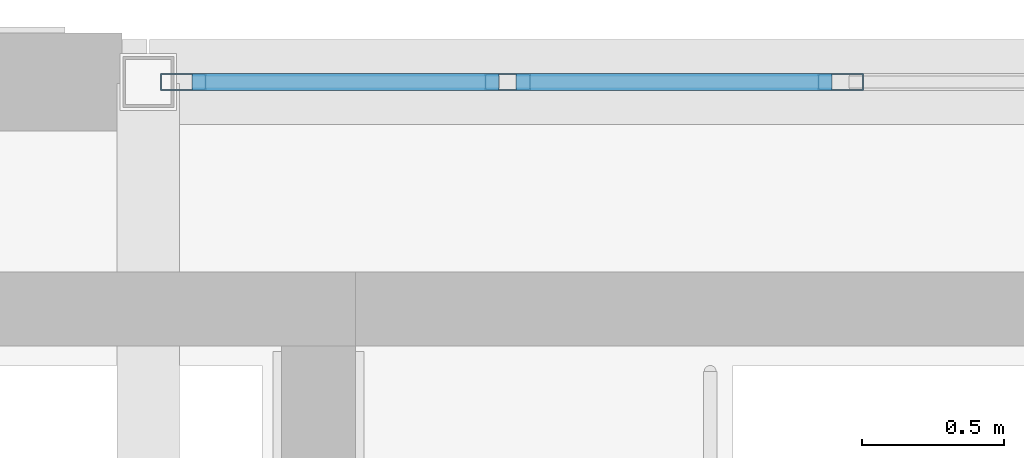
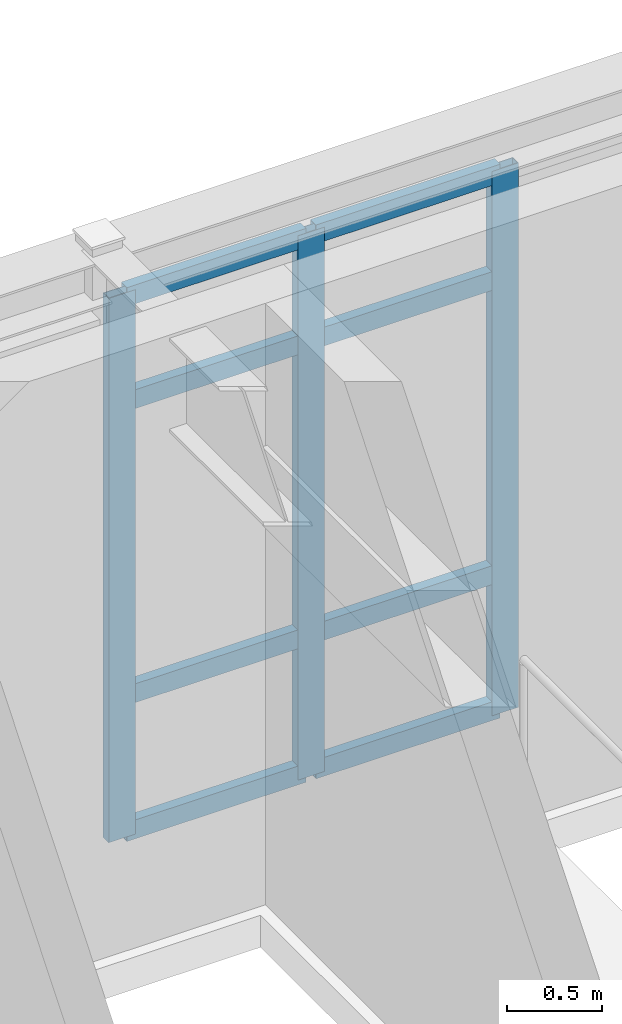
# One storey, part 10 of 26: 11 members, 1 element without a shape of its own.
"""IFC4 building model written with IfcOpenShell, lengths in metres."""

from ifc_helpers import new_model, si_unit, direction, frame, origin, origin_2d, place, context, subcontext, project, spatial, hollow_rectangle, extrude, material, layer, layer_set, material_profile, profile_set, type_object, element, aggregate, save


model = new_model("IFC4")

# Units and contexts
model_context = context("Model", 3, precision=1e-05, world=origin(), true_north=direction((0.0, 1.0)))
body_context = subcontext(model_context, "Body", "Model", "MODEL_VIEW")
ifc_project = project(units=[si_unit("LENGTHUNIT", "METRE"), si_unit("AREAUNIT", "SQUARE_METRE"), si_unit("VOLUMEUNIT", "CUBIC_METRE"), si_unit("PLANEANGLEUNIT", "RADIAN"), si_unit("MASSUNIT", "GRAM", prefix="KILO")], contexts=[model_context])

# Site, building, storey
site_placement = place(None, origin())
site = spatial("IfcSite", under=ifc_project, at=site_placement, CompositionType="ELEMENT")
building_placement = place(site_placement, origin())
building = spatial("IfcBuilding", under=site, at=building_placement, Name="Montecoro Central Library", CompositionType="ELEMENT")
storey_placement = place(building_placement, frame((0.0, 0.0, 21.419921875)))
storey = spatial("IfcBuildingStorey", under=building, at=storey_placement, Name="L05", CompositionType="ELEMENT", Elevation=21.419921875)

# Curtain wall, members
ifc_material_1 = material(Name="Bronze-anodised aluminium and low-E glazing", Category="aluminium")
ifc_layer = layer(ifc_material_1, 0.159912109375)
ifc_layer_set = layer_set([ifc_layer], Name="Bronze-anodised aluminium and low-E glazing")
curtain_wall_type = type_object("IfcCurtainWallType", Name="CWT-025", PredefinedType="NOTDEFINED", material=ifc_layer_set)
curtain_wall_placement = place(storey_placement, origin())
curtain_wall = element("IfcCurtainWall", 1, at=curtain_wall_placement, inside=storey, type_object=curtain_wall_type, Name="V2-L05-CW-N3", PredefinedType="NOTDEFINED")
ifc_material_2 = material(Name="Bronze-anodised aluminium", Category="aluminium")
ifc_material_profile_1 = material_profile(ifc_material_2, hollow_rectangle(XDim=0.06005859375, YDim=0.159912109375, WallThickness=0.00390625, at=origin_2d()), Name="CWM 160x60x4.0")
ifc_profile_set_1 = profile_set([ifc_material_profile_1], Name="Bronze-anodised aluminium")
member_type_1 = type_object("IfcMemberType", Name="CWM-BRZ-60", PredefinedType="MULLION", material=ifc_profile_set_1)
member_1_placement = place(storey_placement, frame((102.43994140625, 119.0, 0.0), z_axis=(0.0, 0.0, 1.0), x_axis=(0.0, -1.0, 0.0)))
member_1 = element("IfcMember", 2, at=member_1_placement, type_object=member_type_1, Name="CW-025 mullion 6", PredefinedType="MULLION", context=body_context, shape_type="SweptSolid", body=[
    extrude(hollow_rectangle(XDim=0.06005859375, YDim=0.159912109375, WallThickness=0.00390625, at=origin_2d()), origin(), (0.0, 0.0, 1.0), 3.47998046875),
])
member_2_placement = place(storey_placement, frame((101.266357421875, 119.0, 0.0), z_axis=(0.0, 0.0, 1.0), x_axis=(0.0, -1.0, 0.0)))
member_2 = element("IfcMember", 3, at=member_2_placement, type_object=member_type_1, Name="CW-025 mullion 7", PredefinedType="MULLION", context=body_context, shape_type="SweptSolid", body=[
    extrude(hollow_rectangle(XDim=0.06005859375, YDim=0.159912109375, WallThickness=0.00390625, at=origin_2d()), origin(), (0.0, 0.0, 1.0), 3.47998046875),
])
member_3_placement = place(storey_placement, frame((100.123046875, 119.0, 0.0), z_axis=(0.0, 0.0, 1.0), x_axis=(0.0, -1.0, 0.0)))
member_3 = element("IfcMember", 4, at=member_3_placement, type_object=member_type_1, Name="CW-025 mullion 8", PredefinedType="MULLION", context=body_context, shape_type="SweptSolid", body=[
    extrude(hollow_rectangle(XDim=0.06005859375, YDim=0.159912109375, WallThickness=0.00390625, at=origin_2d()), origin(), (0.0, 0.0, 1.0), 3.47998046875),
])
ifc_material_profile_2 = material_profile(ifc_material_2, hollow_rectangle(XDim=0.06005859375, YDim=0.1201171875, WallThickness=0.00390625, at=origin_2d()), Name="CWT 120x60x4.0")
ifc_profile_set_2 = profile_set([ifc_material_profile_2], Name="Bronze-anodised aluminium")
member_type_2 = type_object("IfcMemberType", Name="CWT-BRZ-60", PredefinedType="USERDEFINED", material=ifc_profile_set_2)
member_4_placement = place(storey_placement, frame((102.409912109375, 119.0, 0.030029296875), z_axis=(-1.0, 0.0, 0.0), x_axis=(0.0, -1.0, 0.0)))
member_4 = element("IfcMember", 5, at=member_4_placement, type_object=member_type_2, Name="CW-025 transom 6.1", ObjectType="TRANSOM", PredefinedType="USERDEFINED", context=body_context, shape_type="SweptSolid", body=[
    extrude(hollow_rectangle(XDim=0.06005859375, YDim=0.1201171875, WallThickness=0.00390625, at=origin_2d()), origin(), (0.0, 0.0, 1.0), 1.113525390625),
])
member_5_placement = place(storey_placement, frame((102.409912109375, 119.0, 0.900146484375), z_axis=(-1.0, 0.0, 0.0), x_axis=(0.0, -1.0, 0.0)))
member_5 = element("IfcMember", 6, at=member_5_placement, type_object=member_type_2, Name="CW-025 transom 6.2", ObjectType="TRANSOM", PredefinedType="USERDEFINED", context=body_context, shape_type="SweptSolid", body=[
    extrude(hollow_rectangle(XDim=0.06005859375, YDim=0.1201171875, WallThickness=0.00390625, at=origin_2d()), origin(), (0.0, 0.0, 1.0), 1.113525390625),
])
member_6_placement = place(storey_placement, frame((102.409912109375, 119.0, 2.780029296875), z_axis=(-1.0, 0.0, 0.0), x_axis=(0.0, -1.0, 0.0)))
member_6 = element("IfcMember", 7, at=member_6_placement, type_object=member_type_2, Name="CW-025 transom 6.3", ObjectType="TRANSOM", PredefinedType="USERDEFINED", context=body_context, shape_type="SweptSolid", body=[
    extrude(hollow_rectangle(XDim=0.06005859375, YDim=0.1201171875, WallThickness=0.00390625, at=origin_2d()), origin(), (0.0, 0.0, 1.0), 1.113525390625),
])
member_7_placement = place(storey_placement, frame((102.409912109375, 119.0, 3.4501953125), z_axis=(-1.0, 0.0, 0.0), x_axis=(0.0, -1.0, 0.0)))
member_7 = element("IfcMember", 8, at=member_7_placement, type_object=member_type_2, Name="CW-025 transom 6.4", ObjectType="TRANSOM", PredefinedType="USERDEFINED", context=body_context, shape_type="SweptSolid", body=[
    extrude(hollow_rectangle(XDim=0.06005859375, YDim=0.1201171875, WallThickness=0.00390625, at=origin_2d()), origin(), (0.0, 0.0, 1.0), 1.113525390625),
])
member_8_placement = place(storey_placement, frame((101.236328125, 119.0, 0.030029296875), z_axis=(-1.0, 0.0, 0.0), x_axis=(0.0, -1.0, 0.0)))
member_8 = element("IfcMember", 9, at=member_8_placement, type_object=member_type_2, Name="CW-025 transom 7.1", ObjectType="TRANSOM", PredefinedType="USERDEFINED", context=body_context, shape_type="SweptSolid", body=[
    extrude(hollow_rectangle(XDim=0.06005859375, YDim=0.1201171875, WallThickness=0.00390625, at=origin_2d()), origin(), (0.0, 0.0, 1.0), 1.083251953125),
])
member_9_placement = place(storey_placement, frame((101.236328125, 119.0, 0.900146484375), z_axis=(-1.0, 0.0, 0.0), x_axis=(0.0, -1.0, 0.0)))
member_9 = element("IfcMember", 10, at=member_9_placement, type_object=member_type_2, Name="CW-025 transom 7.2", ObjectType="TRANSOM", PredefinedType="USERDEFINED", context=body_context, shape_type="SweptSolid", body=[
    extrude(hollow_rectangle(XDim=0.06005859375, YDim=0.1201171875, WallThickness=0.00390625, at=origin_2d()), origin(), (0.0, 0.0, 1.0), 1.083251953125),
])
member_10_placement = place(storey_placement, frame((101.236328125, 119.0, 2.780029296875), z_axis=(-1.0, 0.0, 0.0), x_axis=(0.0, -1.0, 0.0)))
member_10 = element("IfcMember", 11, at=member_10_placement, type_object=member_type_2, Name="CW-025 transom 7.3", ObjectType="TRANSOM", PredefinedType="USERDEFINED", context=body_context, shape_type="SweptSolid", body=[
    extrude(hollow_rectangle(XDim=0.06005859375, YDim=0.1201171875, WallThickness=0.00390625, at=origin_2d()), origin(), (0.0, 0.0, 1.0), 1.083251953125),
])
member_11_placement = place(storey_placement, frame((101.236328125, 119.0, 3.4501953125), z_axis=(-1.0, 0.0, 0.0), x_axis=(0.0, -1.0, 0.0)))
member_11 = element("IfcMember", 12, at=member_11_placement, type_object=member_type_2, Name="CW-025 transom 7.4", ObjectType="TRANSOM", PredefinedType="USERDEFINED", context=body_context, shape_type="SweptSolid", body=[
    extrude(hollow_rectangle(XDim=0.06005859375, YDim=0.1201171875, WallThickness=0.00390625, at=origin_2d()), origin(), (0.0, 0.0, 1.0), 1.083251953125),
])
aggregate(curtain_wall, [member_1, member_2, member_3, member_4, member_5, member_6, member_7, member_8, member_9, member_10, member_11])

save(model, "model.ifc")
